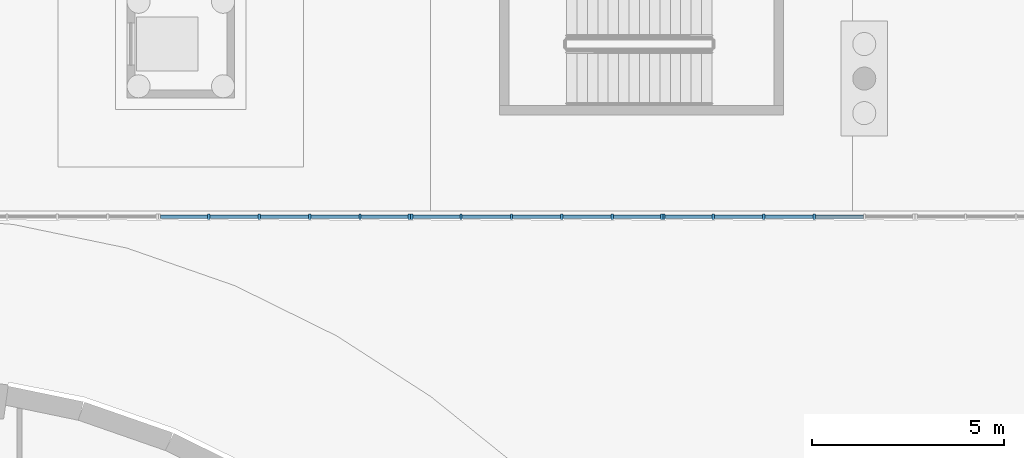
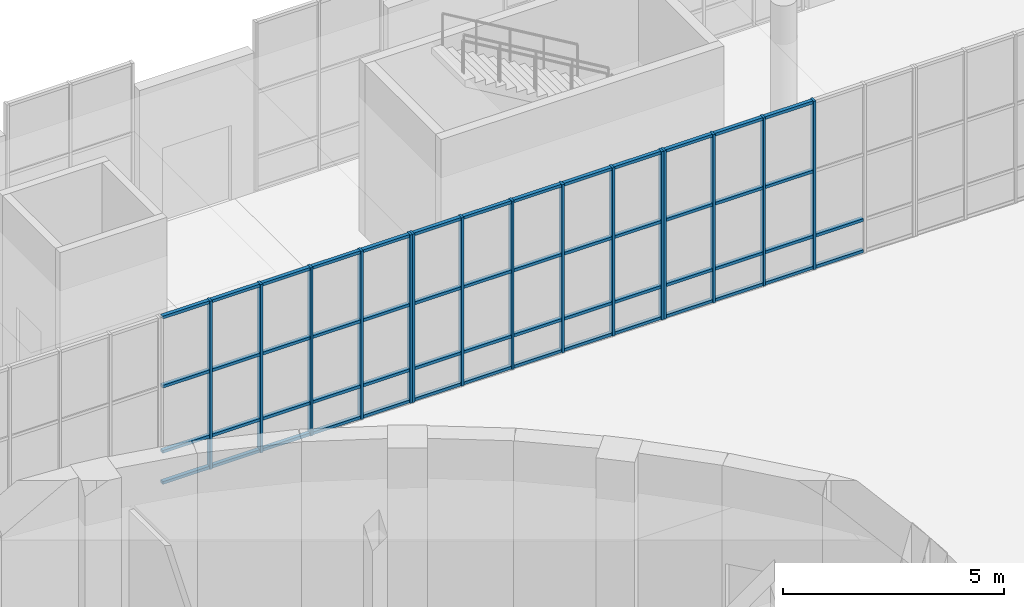
# One storey, part 33 of 110: 69 members, 3 elements without a shape of their own.
"""IFC4 building model written with IfcOpenShell, lengths in metres."""

import ifcopenshell
import ifcopenshell.guid

model = None  # the IFC model being written
_history = None  # IfcOwnerHistory: only IFC2X3 demands one
_inside = {}  # id of a spatial element -> (the spatial element, [elements in it])
_under = {}  # id of a project, library or spatial element -> (it, [spatial elements below it])
_declared = {}  # id of a project -> (the project, [libraries it declares])
_typed = {}  # id of a type object -> (the type object, [elements of that type])
_made_of = {}  # id of a material, layer set ... -> (it, [elements and type objects made of it])


def new_model(schema):
    """Start an empty IFC model of exactly this schema.

    Asked for "IFC4X3", IfcOpenShell would pick the latest addendum, in which some entities
    have other attributes; the version numbers below select the first issue.
    IFC2X3 requires an IfcOwnerHistory on every rooted entity: one is made here for all.
    """
    global model, _history
    if schema == "IFC4X3":
        model = ifcopenshell.file(schema_version=(4, 3, 0, 0))
    else:
        model = ifcopenshell.file(schema=schema)
    _inside.clear()
    _under.clear()
    _declared.clear()
    _typed.clear()
    _made_of.clear()
    _history = None
    if model.schema == "IFC2X3":
        org = make("IfcOrganization", Name="unknown")
        user = make(
            "IfcPersonAndOrganization",
            ThePerson=make("IfcPerson", FamilyName="unknown"),
            TheOrganization=org,
        )
        app = make(
            "IfcApplication",
            ApplicationDeveloper=org,
            Version="unknown",
            ApplicationFullName="unknown",
            ApplicationIdentifier="unknown",
        )
        _history = make(
            "IfcOwnerHistory",
            OwningUser=user,
            OwningApplication=app,
            ChangeAction="ADDED",
            CreationDate=0,
        )
    return model


def make(cls, **values):
    """One entity of the class cls with the attributes given. An attribute that is None is left unset."""
    return model.create_entity(
        cls, **{name: value for name, value in values.items() if value is not None}
    )


def rooted(cls, **values):
    """An entity with a GlobalId (a new one), such as an element, a storey or a relation."""
    return make(cls, GlobalId=ifcopenshell.guid.new(), OwnerHistory=_history, **values)


def si_unit(unit_type, name, prefix=None):
    """IfcSIUnit, for example si_unit("LENGTHUNIT", "METRE", prefix="MILLI")."""
    return make("IfcSIUnit", UnitType=unit_type, Prefix=prefix, Name=name)


def assignment(units):
    """IfcUnitAssignment: the units of a project."""
    return None if units is None else make("IfcUnitAssignment", Units=units)


def point(xyz):
    """IfcCartesianPoint."""
    return None if xyz is None else make("IfcCartesianPoint", Coordinates=xyz)


def direction(xyz):
    """IfcDirection."""
    return None if xyz is None else make("IfcDirection", DirectionRatios=xyz)


def frame(location, z_axis=None, x_axis=None):
    """IfcAxis2Placement3D, a coordinate frame: its origin and axes. An axis left out is left unset."""
    return make(
        "IfcAxis2Placement3D",
        Location=point(location),
        Axis=direction(z_axis),
        RefDirection=direction(x_axis),
    )


def frame_2d(location, x_axis=None):
    """IfcAxis2Placement2D, a coordinate frame in the plane: its origin and x axis."""
    return make(
        "IfcAxis2Placement2D", Location=point(location), RefDirection=direction(x_axis)
    )


def origin():
    """The frame at (0, 0, 0) with its axes left unset."""
    return frame((0.0, 0.0, 0.0))


def origin_2d():
    """The frame at (0, 0) in the plane with its x axis left unset."""
    return frame_2d((0.0, 0.0))


def place(relative_to, where):
    """IfcLocalPlacement: puts the frame where relative to a parent placement (None: the world)."""
    return make(
        "IfcLocalPlacement", PlacementRelTo=relative_to, RelativePlacement=where
    )


def context(
    kind, dimensions, precision=None, world=None, true_north=None, identifier=None
):
    """IfcGeometricRepresentationContext, for example the 3D "Model" context."""
    return make(
        "IfcGeometricRepresentationContext",
        ContextIdentifier=identifier,
        ContextType=kind,
        CoordinateSpaceDimension=dimensions,
        Precision=precision,
        WorldCoordinateSystem=world,
        TrueNorth=true_north,
    )


def subcontext(parent, identifier, kind, view, scale=None):
    """IfcGeometricRepresentationSubContext, for example "Body" below "Model"."""
    return make(
        "IfcGeometricRepresentationSubContext",
        ContextIdentifier=identifier,
        ContextType=kind,
        ParentContext=parent,
        TargetScale=scale,
        TargetView=view,
    )


def project(units=None, contexts=None):
    """IfcProject with its units and contexts."""
    return rooted(
        "IfcProject",
        Name="project",
        RepresentationContexts=contexts,
        UnitsInContext=assignment(units),
    )


def spatial(cls, under=None, at=None, **own):
    """A site, building, storey or space (cls), placed at a placement, below another one or the project."""
    s = rooted(cls, ObjectPlacement=at, **own)
    if under is not None:
        _under.setdefault(under.id(), (under, []))[1].append(s)
    return s


def profile(cls, at=None, kind="AREA", **sizes):
    """A parametric profile (cls). Its sizes go by their IFC names, for example OverallWidth=200.0."""
    return make(cls, ProfileType=kind, Position=at, **sizes)


def rectangle(**sizes):
    """IfcRectangleProfileDef."""
    return profile("IfcRectangleProfileDef", **sizes)


def extrude(swept, where, along, depth):
    """IfcExtrudedAreaSolid: the profile swept, set in the frame where, extruded along a direction by depth."""
    return make(
        "IfcExtrudedAreaSolid",
        SweptArea=swept,
        Position=where,
        ExtrudedDirection=direction(along),
        Depth=depth,
    )


def shape(context_of_items, identifier, shape_type, items):
    """IfcShapeRepresentation: the items that make up one representation, for example the "Body"."""
    return make(
        "IfcShapeRepresentation",
        ContextOfItems=context_of_items,
        RepresentationIdentifier=identifier,
        RepresentationType=shape_type,
        Items=items,
    )


def material(Name=None, Category=None):
    """IfcMaterial."""
    return make("IfcMaterial", Name=Name, Category=Category)


def layer(
    of_material, thickness, ventilated=None, Name=None, Category=None, Priority=None
):
    """IfcMaterialLayer: one layer of a wall or slab, of a material (None: an air gap)."""
    return make(
        "IfcMaterialLayer",
        Material=of_material,
        LayerThickness=thickness,
        IsVentilated=ventilated,
        Name=Name,
        Category=Category,
        Priority=Priority,
    )


def layer_set(layers, Name=None):
    """IfcMaterialLayerSet."""
    return make("IfcMaterialLayerSet", MaterialLayers=layers, LayerSetName=Name)


def material_profile(
    of_material, cross_section, Name=None, Category=None, Priority=None
):
    """IfcMaterialProfile: a cross section and its material."""
    return make(
        "IfcMaterialProfile",
        Name=Name,
        Material=of_material,
        Profile=cross_section,
        Priority=Priority,
        Category=Category,
    )


def profile_set(profiles, Name=None, composite=None):
    """IfcMaterialProfileSet."""
    return make(
        "IfcMaterialProfileSet",
        Name=Name,
        MaterialProfiles=profiles,
        CompositeProfile=composite,
    )


def made_of(thing, what):
    """Note that an element or type object is made of a material, layer set ...; save() writes the relation."""
    if what is not None:
        _made_of.setdefault(what.id(), (what, []))[1].append(thing)
    return thing


def type_object(cls, material=None, **own):
    """A type object (cls), such as IfcWallType, which elements share."""
    return made_of(rooted(cls, **own), material)


def element(
    cls,
    number,
    at=None,
    inside=None,
    cuts=None,
    type_object=None,
    material=None,
    context=None,
    identifier="Body",
    shape_type=None,
    held_by="IfcProductDefinitionShape",
    body=None,
    shapes=None,
    **own,
):
    """One element of the class cls, such as IfcWall. Its Tag is "e" and its number.

    at: its placement. inside: the storey or other place that contains it. cuts: it is an
    opening in that element (IfcRelVoidsElement). A single representation is given by context,
    identifier, shape_type and body (its items); several are given by shapes. held_by: the class
    of the entity that holds the representations. save() writes the other relations.
    """
    e = rooted(cls, Tag="e%d" % number, ObjectPlacement=at, **own)
    if body is not None:
        shapes = [shape(context, identifier, shape_type, body)]
    if shapes is not None:
        e.Representation = make(held_by, Representations=shapes)
    if inside is not None:
        _inside.setdefault(inside.id(), (inside, []))[1].append(e)
    if cuts is not None:
        rooted(
            "IfcRelVoidsElement", RelatingBuildingElement=cuts, RelatedOpeningElement=e
        )
    if type_object is not None:
        _typed.setdefault(type_object.id(), (type_object, []))[1].append(e)
    return made_of(e, material)


def aggregate(whole, parts):
    """IfcRelAggregates: a whole, such as a stair, and the parts it consists of."""
    return rooted("IfcRelAggregates", RelatingObject=whole, RelatedObjects=parts)


def save(model, path):
    """Write the relations noted so far, then the file.

    IfcRelAggregates (storeys below a building ...), IfcRelContainedInSpatialStructure (elements
    in a storey), IfcRelDefinesByType, IfcRelAssociatesMaterial and IfcRelDeclares: one each for
    every whole, place, type object, material and project.
    """
    for whole, parts in _under.values():
        aggregate(whole, parts)
    for where, things in _inside.values():
        rooted(
            "IfcRelContainedInSpatialStructure",
            RelatedElements=things,
            RelatingStructure=where,
        )
    for kind, things in _typed.values():
        rooted("IfcRelDefinesByType", RelatedObjects=things, RelatingType=kind)
    for what, things in _made_of.values():
        rooted("IfcRelAssociatesMaterial", RelatedObjects=things, RelatingMaterial=what)
    for by, libraries in _declared.values():
        rooted("IfcRelDeclares", RelatingContext=by, RelatedDefinitions=libraries)
    model.write(path)


model = new_model("IFC4")

# Units and contexts
model_context = context("Model", 3, precision=1e-05, world=origin(), true_north=direction((0.0, 1.0)))
body_context = subcontext(model_context, "Body", "Model", "MODEL_VIEW")
ifc_project = project(units=[si_unit("LENGTHUNIT", "METRE"), si_unit("AREAUNIT", "SQUARE_METRE"), si_unit("VOLUMEUNIT", "CUBIC_METRE"), si_unit("PLANEANGLEUNIT", "RADIAN"), si_unit("MASSUNIT", "GRAM", prefix="KILO")], contexts=[model_context])

# Site, building, storey
site_placement = place(None, origin())
site = spatial("IfcSite", under=ifc_project, at=site_placement, CompositionType="ELEMENT")
building_placement = place(site_placement, origin())
building = spatial("IfcBuilding", under=site, at=building_placement, Name="Larchfold Concert Hall", CompositionType="ELEMENT")
storey_placement = place(building_placement, origin())
storey = spatial("IfcBuildingStorey", under=building, at=storey_placement, Name="L00", CompositionType="ELEMENT", Elevation=0.0)

# Curtain wall, members
ifc_material_1 = material(Name="Anodised graphite aluminium curtain wall", Category="aluminium")
ifc_layer = layer(ifc_material_1, 0.14990234375)
ifc_layer_set = layer_set([ifc_layer], Name="Anodised graphite aluminium curtain wall")
curtain_wall_type = type_object("IfcCurtainWallType", Name="Curtain wall WG", PredefinedType="NOTDEFINED", material=ifc_layer_set)
curtain_wall_1_placement = place(storey_placement, origin())
curtain_wall_1 = element("IfcCurtainWall", 1, at=curtain_wall_1_placement, inside=storey, type_object=curtain_wall_type, Name="Curtain wall CW0091", PredefinedType="NOTDEFINED")
ifc_material_2 = material(Name="Anodised graphite aluminium mullion", Category="aluminium")
ifc_material_profile_1 = material_profile(ifc_material_2, rectangle(XDim=0.14990234375, YDim=0.06005859375, at=origin_2d()))
ifc_profile_set_1 = profile_set([ifc_material_profile_1], Name="Anodised graphite aluminium mullion")
member_type_1 = type_object("IfcMemberType", Name="Aluminium mullion 60x150", PredefinedType="MULLION", material=ifc_profile_set_1)
member_1_placement = place(storey_placement, frame((50.725830078125, 123.0, 0.0), z_axis=(0.0, 0.0, 1.0), x_axis=(0.0, 1.0, 0.0)))
member_1 = element("IfcMember", 2, at=member_1_placement, type_object=member_type_1, Name="CW0091 mullion 2", PredefinedType="MULLION", context=body_context, shape_type="SweptSolid", body=[
    extrude(rectangle(XDim=0.14990234375, YDim=0.06005859375, at=origin_2d()), origin(), (0.0, 0.0, 1.0), 4.64990234375),
])
member_2_placement = place(storey_placement, frame((52.039794921875, 123.0, 0.0), z_axis=(0.0, 0.0, 1.0), x_axis=(0.0, 1.0, 0.0)))
member_2 = element("IfcMember", 3, at=member_2_placement, type_object=member_type_1, Name="CW0091 mullion 3", PredefinedType="MULLION", context=body_context, shape_type="SweptSolid", body=[
    extrude(rectangle(XDim=0.14990234375, YDim=0.06005859375, at=origin_2d()), origin(), (0.0, 0.0, 1.0), 4.64990234375),
])
member_3_placement = place(storey_placement, frame((53.35400390625, 123.0, 0.0), z_axis=(0.0, 0.0, 1.0), x_axis=(0.0, 1.0, 0.0)))
member_3 = element("IfcMember", 4, at=member_3_placement, type_object=member_type_1, Name="CW0091 mullion 4", PredefinedType="MULLION", context=body_context, shape_type="SweptSolid", body=[
    extrude(rectangle(XDim=0.14990234375, YDim=0.06005859375, at=origin_2d()), origin(), (0.0, 0.0, 1.0), 4.64990234375),
])
member_4_placement = place(storey_placement, frame((54.66796875, 123.0, 0.0), z_axis=(0.0, 0.0, 1.0), x_axis=(0.0, 1.0, 0.0)))
member_4 = element("IfcMember", 5, at=member_4_placement, type_object=member_type_1, Name="CW0091 mullion 5", PredefinedType="MULLION", context=body_context, shape_type="SweptSolid", body=[
    extrude(rectangle(XDim=0.14990234375, YDim=0.06005859375, at=origin_2d()), origin(), (0.0, 0.0, 1.0), 4.64990234375),
])
member_5_placement = place(storey_placement, frame((55.951904296875, 123.0, 0.0), z_axis=(0.0, 0.0, 1.0), x_axis=(0.0, 1.0, 0.0)))
member_5 = element("IfcMember", 6, at=member_5_placement, type_object=member_type_1, Name="CW0091 mullion 6", PredefinedType="MULLION", context=body_context, shape_type="SweptSolid", body=[
    extrude(rectangle(XDim=0.14990234375, YDim=0.06005859375, at=origin_2d()), origin(), (0.0, 0.0, 1.0), 4.64990234375),
])

curtain_wall_2_placement = place(storey_placement, origin())
curtain_wall_2 = element("IfcCurtainWall", 7, at=curtain_wall_2_placement, inside=storey, type_object=curtain_wall_type, Name="Curtain wall CW0092", PredefinedType="NOTDEFINED")
member_6_placement = place(storey_placement, frame((56.011962890625, 123.0, 0.0), z_axis=(0.0, 0.0, 1.0), x_axis=(0.0, 1.0, 0.0)))
member_6 = element("IfcMember", 8, at=member_6_placement, type_object=member_type_1, Name="CW0092 mullion 1", PredefinedType="MULLION", context=body_context, shape_type="SweptSolid", body=[
    extrude(rectangle(XDim=0.14990234375, YDim=0.06005859375, at=origin_2d()), origin(), (0.0, 0.0, 1.0), 4.64990234375),
])
member_7_placement = place(storey_placement, frame((57.2958984375, 123.0, 0.0), z_axis=(0.0, 0.0, 1.0), x_axis=(0.0, 1.0, 0.0)))
member_7 = element("IfcMember", 9, at=member_7_placement, type_object=member_type_1, Name="CW0092 mullion 2", PredefinedType="MULLION", context=body_context, shape_type="SweptSolid", body=[
    extrude(rectangle(XDim=0.14990234375, YDim=0.06005859375, at=origin_2d()), origin(), (0.0, 0.0, 1.0), 4.64990234375),
])
member_8_placement = place(storey_placement, frame((58.610107421875, 123.0, 0.0), z_axis=(0.0, 0.0, 1.0), x_axis=(0.0, 1.0, 0.0)))
member_8 = element("IfcMember", 10, at=member_8_placement, type_object=member_type_1, Name="CW0092 mullion 3", PredefinedType="MULLION", context=body_context, shape_type="SweptSolid", body=[
    extrude(rectangle(XDim=0.14990234375, YDim=0.06005859375, at=origin_2d()), origin(), (0.0, 0.0, 1.0), 4.64990234375),
])
member_9_placement = place(storey_placement, frame((59.924072265625, 123.0, 0.0), z_axis=(0.0, 0.0, 1.0), x_axis=(0.0, 1.0, 0.0)))
member_9 = element("IfcMember", 11, at=member_9_placement, type_object=member_type_1, Name="CW0092 mullion 4", PredefinedType="MULLION", context=body_context, shape_type="SweptSolid", body=[
    extrude(rectangle(XDim=0.14990234375, YDim=0.06005859375, at=origin_2d()), origin(), (0.0, 0.0, 1.0), 4.64990234375),
])
member_10_placement = place(storey_placement, frame((61.23828125, 123.0, 0.0), z_axis=(0.0, 0.0, 1.0), x_axis=(0.0, 1.0, 0.0)))
member_10 = element("IfcMember", 12, at=member_10_placement, type_object=member_type_1, Name="CW0092 mullion 5", PredefinedType="MULLION", context=body_context, shape_type="SweptSolid", body=[
    extrude(rectangle(XDim=0.14990234375, YDim=0.06005859375, at=origin_2d()), origin(), (0.0, 0.0, 1.0), 4.64990234375),
])
member_11_placement = place(storey_placement, frame((62.522216796875, 123.0, 0.0), z_axis=(0.0, 0.0, 1.0), x_axis=(0.0, 1.0, 0.0)))
member_11 = element("IfcMember", 13, at=member_11_placement, type_object=member_type_1, Name="CW0092 mullion 6", PredefinedType="MULLION", context=body_context, shape_type="SweptSolid", body=[
    extrude(rectangle(XDim=0.14990234375, YDim=0.06005859375, at=origin_2d()), origin(), (0.0, 0.0, 1.0), 4.64990234375),
])

curtain_wall_3_placement = place(storey_placement, origin())
curtain_wall_3 = element("IfcCurtainWall", 14, at=curtain_wall_3_placement, inside=storey, type_object=curtain_wall_type, Name="Curtain wall CW0093", PredefinedType="NOTDEFINED")
member_12_placement = place(storey_placement, frame((62.582275390625, 123.0, 0.0), z_axis=(0.0, 0.0, 1.0), x_axis=(0.0, 1.0, 0.0)))
member_12 = element("IfcMember", 15, at=member_12_placement, type_object=member_type_1, Name="CW0093 mullion 1", PredefinedType="MULLION", context=body_context, shape_type="SweptSolid", body=[
    extrude(rectangle(XDim=0.14990234375, YDim=0.06005859375, at=origin_2d()), origin(), (0.0, 0.0, 1.0), 4.64990234375),
])
member_13_placement = place(storey_placement, frame((63.8662109375, 123.0, 0.0), z_axis=(0.0, 0.0, 1.0), x_axis=(0.0, 1.0, 0.0)))
member_13 = element("IfcMember", 16, at=member_13_placement, type_object=member_type_1, Name="CW0093 mullion 2", PredefinedType="MULLION", context=body_context, shape_type="SweptSolid", body=[
    extrude(rectangle(XDim=0.14990234375, YDim=0.06005859375, at=origin_2d()), origin(), (0.0, 0.0, 1.0), 4.64990234375),
])
member_14_placement = place(storey_placement, frame((65.18017578125, 123.0, 0.0), z_axis=(0.0, 0.0, 1.0), x_axis=(0.0, 1.0, 0.0)))
member_14 = element("IfcMember", 17, at=member_14_placement, type_object=member_type_1, Name="CW0093 mullion 3", PredefinedType="MULLION", context=body_context, shape_type="SweptSolid", body=[
    extrude(rectangle(XDim=0.14990234375, YDim=0.06005859375, at=origin_2d()), origin(), (0.0, 0.0, 1.0), 4.64990234375),
])
member_15_placement = place(storey_placement, frame((66.494384765625, 123.0, 0.0), z_axis=(0.0, 0.0, 1.0), x_axis=(0.0, 1.0, 0.0)))
member_15 = element("IfcMember", 18, at=member_15_placement, type_object=member_type_1, Name="CW0093 mullion 4", PredefinedType="MULLION", context=body_context, shape_type="SweptSolid", body=[
    extrude(rectangle(XDim=0.14990234375, YDim=0.06005859375, at=origin_2d()), origin(), (0.0, 0.0, 1.0), 4.64990234375),
])

# Member
ifc_material_3 = material(Name="Anodised graphite aluminium transom", Category="aluminium")
ifc_material_profile_2 = material_profile(ifc_material_3, rectangle(XDim=0.10009765625, YDim=0.080078125, at=origin_2d()))
ifc_profile_set_2 = profile_set([ifc_material_profile_2], Name="Anodised graphite aluminium transom")
member_type_2 = type_object("IfcMemberType", Name="Aluminium transom 80x100", PredefinedType="USERDEFINED", material=ifc_profile_set_2)
member_16_placement = place(storey_placement, frame((49.471923828125, 123.0, 0.0400390625), z_axis=(1.0, 0.0, 0.0), x_axis=(0.0, 1.0, 0.0)))
member_16 = element("IfcMember", 19, at=member_16_placement, type_object=member_type_2, Name="CW0091 transom 1.1", ObjectType="TRANSOM", PredefinedType="USERDEFINED", context=body_context, shape_type="SweptSolid", body=[
    extrude(rectangle(XDim=0.10009765625, YDim=0.080078125, at=origin_2d()), origin(), (0.0, 0.0, 1.0), 1.223876953125),
])

member_17_placement = place(storey_placement, frame((49.471923828125, 123.0, 0.89990234375), z_axis=(1.0, 0.0, 0.0), x_axis=(0.0, 1.0, 0.0)))
member_17 = element("IfcMember", 20, at=member_17_placement, type_object=member_type_2, Name="CW0091 transom 1.2", ObjectType="TRANSOM", PredefinedType="USERDEFINED", context=body_context, shape_type="SweptSolid", body=[
    extrude(rectangle(XDim=0.10009765625, YDim=0.080078125, at=origin_2d()), origin(), (0.0, 0.0, 1.0), 1.223876953125),
])

member_18_placement = place(storey_placement, frame((49.471923828125, 123.0, 2.699951171875), z_axis=(1.0, 0.0, 0.0), x_axis=(0.0, 1.0, 0.0)))
member_18 = element("IfcMember", 21, at=member_18_placement, type_object=member_type_2, Name="CW0091 transom 1.3", ObjectType="TRANSOM", PredefinedType="USERDEFINED", context=body_context, shape_type="SweptSolid", body=[
    extrude(rectangle(XDim=0.10009765625, YDim=0.080078125, at=origin_2d()), origin(), (0.0, 0.0, 1.0), 1.223876953125),
])

member_19_placement = place(storey_placement, frame((49.471923828125, 123.0, 4.60986328125), z_axis=(1.0, 0.0, 0.0), x_axis=(0.0, 1.0, 0.0)))
member_19 = element("IfcMember", 22, at=member_19_placement, type_object=member_type_2, Name="CW0091 transom 1.4", ObjectType="TRANSOM", PredefinedType="USERDEFINED", context=body_context, shape_type="SweptSolid", body=[
    extrude(rectangle(XDim=0.10009765625, YDim=0.080078125, at=origin_2d()), origin(), (0.0, 0.0, 1.0), 1.223876953125),
])

member_20_placement = place(storey_placement, frame((50.755859375, 123.0, 0.0400390625), z_axis=(1.0, 0.0, 0.0), x_axis=(0.0, 1.0, 0.0)))
member_20 = element("IfcMember", 23, at=member_20_placement, type_object=member_type_2, Name="CW0091 transom 2.1", ObjectType="TRANSOM", PredefinedType="USERDEFINED", context=body_context, shape_type="SweptSolid", body=[
    extrude(rectangle(XDim=0.10009765625, YDim=0.080078125, at=origin_2d()), origin(), (0.0, 0.0, 1.0), 1.254150390625),
])

member_21_placement = place(storey_placement, frame((50.755859375, 123.0, 0.89990234375), z_axis=(1.0, 0.0, 0.0), x_axis=(0.0, 1.0, 0.0)))
member_21 = element("IfcMember", 24, at=member_21_placement, type_object=member_type_2, Name="CW0091 transom 2.2", ObjectType="TRANSOM", PredefinedType="USERDEFINED", context=body_context, shape_type="SweptSolid", body=[
    extrude(rectangle(XDim=0.10009765625, YDim=0.080078125, at=origin_2d()), origin(), (0.0, 0.0, 1.0), 1.254150390625),
])

member_22_placement = place(storey_placement, frame((50.755859375, 123.0, 2.699951171875), z_axis=(1.0, 0.0, 0.0), x_axis=(0.0, 1.0, 0.0)))
member_22 = element("IfcMember", 25, at=member_22_placement, type_object=member_type_2, Name="CW0091 transom 2.3", ObjectType="TRANSOM", PredefinedType="USERDEFINED", context=body_context, shape_type="SweptSolid", body=[
    extrude(rectangle(XDim=0.10009765625, YDim=0.080078125, at=origin_2d()), origin(), (0.0, 0.0, 1.0), 1.254150390625),
])

member_23_placement = place(storey_placement, frame((50.755859375, 123.0, 4.60986328125), z_axis=(1.0, 0.0, 0.0), x_axis=(0.0, 1.0, 0.0)))
member_23 = element("IfcMember", 26, at=member_23_placement, type_object=member_type_2, Name="CW0091 transom 2.4", ObjectType="TRANSOM", PredefinedType="USERDEFINED", context=body_context, shape_type="SweptSolid", body=[
    extrude(rectangle(XDim=0.10009765625, YDim=0.080078125, at=origin_2d()), origin(), (0.0, 0.0, 1.0), 1.254150390625),
])

member_24_placement = place(storey_placement, frame((52.06982421875, 123.0, 0.0400390625), z_axis=(1.0, 0.0, 0.0), x_axis=(0.0, 1.0, 0.0)))
member_24 = element("IfcMember", 27, at=member_24_placement, type_object=member_type_2, Name="CW0091 transom 3.1", ObjectType="TRANSOM", PredefinedType="USERDEFINED", context=body_context, shape_type="SweptSolid", body=[
    extrude(rectangle(XDim=0.10009765625, YDim=0.080078125, at=origin_2d()), origin(), (0.0, 0.0, 1.0), 1.254150390625),
])

member_25_placement = place(storey_placement, frame((52.06982421875, 123.0, 0.89990234375), z_axis=(1.0, 0.0, 0.0), x_axis=(0.0, 1.0, 0.0)))
member_25 = element("IfcMember", 28, at=member_25_placement, type_object=member_type_2, Name="CW0091 transom 3.2", ObjectType="TRANSOM", PredefinedType="USERDEFINED", context=body_context, shape_type="SweptSolid", body=[
    extrude(rectangle(XDim=0.10009765625, YDim=0.080078125, at=origin_2d()), origin(), (0.0, 0.0, 1.0), 1.254150390625),
])

member_26_placement = place(storey_placement, frame((52.06982421875, 123.0, 2.699951171875), z_axis=(1.0, 0.0, 0.0), x_axis=(0.0, 1.0, 0.0)))
member_26 = element("IfcMember", 29, at=member_26_placement, type_object=member_type_2, Name="CW0091 transom 3.3", ObjectType="TRANSOM", PredefinedType="USERDEFINED", context=body_context, shape_type="SweptSolid", body=[
    extrude(rectangle(XDim=0.10009765625, YDim=0.080078125, at=origin_2d()), origin(), (0.0, 0.0, 1.0), 1.254150390625),
])

member_27_placement = place(storey_placement, frame((52.06982421875, 123.0, 4.60986328125), z_axis=(1.0, 0.0, 0.0), x_axis=(0.0, 1.0, 0.0)))
member_27 = element("IfcMember", 30, at=member_27_placement, type_object=member_type_2, Name="CW0091 transom 3.4", ObjectType="TRANSOM", PredefinedType="USERDEFINED", context=body_context, shape_type="SweptSolid", body=[
    extrude(rectangle(XDim=0.10009765625, YDim=0.080078125, at=origin_2d()), origin(), (0.0, 0.0, 1.0), 1.254150390625),
])

member_28_placement = place(storey_placement, frame((53.3837890625, 123.0, 0.0400390625), z_axis=(1.0, 0.0, 0.0), x_axis=(0.0, 1.0, 0.0)))
member_28 = element("IfcMember", 31, at=member_28_placement, type_object=member_type_2, Name="CW0091 transom 4.1", ObjectType="TRANSOM", PredefinedType="USERDEFINED", context=body_context, shape_type="SweptSolid", body=[
    extrude(rectangle(XDim=0.10009765625, YDim=0.080078125, at=origin_2d()), origin(), (0.0, 0.0, 1.0), 1.254150390625),
])

member_29_placement = place(storey_placement, frame((53.3837890625, 123.0, 0.89990234375), z_axis=(1.0, 0.0, 0.0), x_axis=(0.0, 1.0, 0.0)))
member_29 = element("IfcMember", 32, at=member_29_placement, type_object=member_type_2, Name="CW0091 transom 4.2", ObjectType="TRANSOM", PredefinedType="USERDEFINED", context=body_context, shape_type="SweptSolid", body=[
    extrude(rectangle(XDim=0.10009765625, YDim=0.080078125, at=origin_2d()), origin(), (0.0, 0.0, 1.0), 1.254150390625),
])

member_30_placement = place(storey_placement, frame((53.3837890625, 123.0, 2.699951171875), z_axis=(1.0, 0.0, 0.0), x_axis=(0.0, 1.0, 0.0)))
member_30 = element("IfcMember", 33, at=member_30_placement, type_object=member_type_2, Name="CW0091 transom 4.3", ObjectType="TRANSOM", PredefinedType="USERDEFINED", context=body_context, shape_type="SweptSolid", body=[
    extrude(rectangle(XDim=0.10009765625, YDim=0.080078125, at=origin_2d()), origin(), (0.0, 0.0, 1.0), 1.254150390625),
])

member_31_placement = place(storey_placement, frame((53.3837890625, 123.0, 4.60986328125), z_axis=(1.0, 0.0, 0.0), x_axis=(0.0, 1.0, 0.0)))
member_31 = element("IfcMember", 34, at=member_31_placement, type_object=member_type_2, Name="CW0091 transom 4.4", ObjectType="TRANSOM", PredefinedType="USERDEFINED", context=body_context, shape_type="SweptSolid", body=[
    extrude(rectangle(XDim=0.10009765625, YDim=0.080078125, at=origin_2d()), origin(), (0.0, 0.0, 1.0), 1.254150390625),
])

member_32_placement = place(storey_placement, frame((54.697998046875, 123.0, 0.0400390625), z_axis=(1.0, 0.0, 0.0), x_axis=(0.0, 1.0, 0.0)))
member_32 = element("IfcMember", 35, at=member_32_placement, type_object=member_type_2, Name="CW0091 transom 5.1", ObjectType="TRANSOM", PredefinedType="USERDEFINED", context=body_context, shape_type="SweptSolid", body=[
    extrude(rectangle(XDim=0.10009765625, YDim=0.080078125, at=origin_2d()), origin(), (0.0, 0.0, 1.0), 1.223876953125),
])

member_33_placement = place(storey_placement, frame((54.697998046875, 123.0, 0.89990234375), z_axis=(1.0, 0.0, 0.0), x_axis=(0.0, 1.0, 0.0)))
member_33 = element("IfcMember", 36, at=member_33_placement, type_object=member_type_2, Name="CW0091 transom 5.2", ObjectType="TRANSOM", PredefinedType="USERDEFINED", context=body_context, shape_type="SweptSolid", body=[
    extrude(rectangle(XDim=0.10009765625, YDim=0.080078125, at=origin_2d()), origin(), (0.0, 0.0, 1.0), 1.223876953125),
])

member_34_placement = place(storey_placement, frame((54.697998046875, 123.0, 2.699951171875), z_axis=(1.0, 0.0, 0.0), x_axis=(0.0, 1.0, 0.0)))
member_34 = element("IfcMember", 37, at=member_34_placement, type_object=member_type_2, Name="CW0091 transom 5.3", ObjectType="TRANSOM", PredefinedType="USERDEFINED", context=body_context, shape_type="SweptSolid", body=[
    extrude(rectangle(XDim=0.10009765625, YDim=0.080078125, at=origin_2d()), origin(), (0.0, 0.0, 1.0), 1.223876953125),
])

member_35_placement = place(storey_placement, frame((54.697998046875, 123.0, 4.60986328125), z_axis=(1.0, 0.0, 0.0), x_axis=(0.0, 1.0, 0.0)))
member_35 = element("IfcMember", 38, at=member_35_placement, type_object=member_type_2, Name="CW0091 transom 5.4", ObjectType="TRANSOM", PredefinedType="USERDEFINED", context=body_context, shape_type="SweptSolid", body=[
    extrude(rectangle(XDim=0.10009765625, YDim=0.080078125, at=origin_2d()), origin(), (0.0, 0.0, 1.0), 1.223876953125),
])

aggregate(curtain_wall_1, [member_1, member_2, member_3, member_4, member_5, member_16, member_17, member_18, member_19, member_20, member_21, member_22, member_23, member_24, member_25, member_26, member_27, member_28, member_29, member_30, member_31, member_32, member_33, member_34, member_35])

member_36_placement = place(storey_placement, frame((56.0419921875, 123.0, 0.0400390625), z_axis=(1.0, 0.0, 0.0), x_axis=(0.0, 1.0, 0.0)))
member_36 = element("IfcMember", 39, at=member_36_placement, type_object=member_type_2, Name="CW0092 transom 1.1", ObjectType="TRANSOM", PredefinedType="USERDEFINED", context=body_context, shape_type="SweptSolid", body=[
    extrude(rectangle(XDim=0.10009765625, YDim=0.080078125, at=origin_2d()), origin(), (0.0, 0.0, 1.0), 1.22412109375),
])

member_37_placement = place(storey_placement, frame((56.0419921875, 123.0, 0.89990234375), z_axis=(1.0, 0.0, 0.0), x_axis=(0.0, 1.0, 0.0)))
member_37 = element("IfcMember", 40, at=member_37_placement, type_object=member_type_2, Name="CW0092 transom 1.2", ObjectType="TRANSOM", PredefinedType="USERDEFINED", context=body_context, shape_type="SweptSolid", body=[
    extrude(rectangle(XDim=0.10009765625, YDim=0.080078125, at=origin_2d()), origin(), (0.0, 0.0, 1.0), 1.22412109375),
])

member_38_placement = place(storey_placement, frame((56.0419921875, 123.0, 2.699951171875), z_axis=(1.0, 0.0, 0.0), x_axis=(0.0, 1.0, 0.0)))
member_38 = element("IfcMember", 41, at=member_38_placement, type_object=member_type_2, Name="CW0092 transom 1.3", ObjectType="TRANSOM", PredefinedType="USERDEFINED", context=body_context, shape_type="SweptSolid", body=[
    extrude(rectangle(XDim=0.10009765625, YDim=0.080078125, at=origin_2d()), origin(), (0.0, 0.0, 1.0), 1.22412109375),
])

member_39_placement = place(storey_placement, frame((56.0419921875, 123.0, 4.60986328125), z_axis=(1.0, 0.0, 0.0), x_axis=(0.0, 1.0, 0.0)))
member_39 = element("IfcMember", 42, at=member_39_placement, type_object=member_type_2, Name="CW0092 transom 1.4", ObjectType="TRANSOM", PredefinedType="USERDEFINED", context=body_context, shape_type="SweptSolid", body=[
    extrude(rectangle(XDim=0.10009765625, YDim=0.080078125, at=origin_2d()), origin(), (0.0, 0.0, 1.0), 1.22412109375),
])

member_40_placement = place(storey_placement, frame((57.325927734375, 123.0, 0.0400390625), z_axis=(1.0, 0.0, 0.0), x_axis=(0.0, 1.0, 0.0)))
member_40 = element("IfcMember", 43, at=member_40_placement, type_object=member_type_2, Name="CW0092 transom 2.1", ObjectType="TRANSOM", PredefinedType="USERDEFINED", context=body_context, shape_type="SweptSolid", body=[
    extrude(rectangle(XDim=0.10009765625, YDim=0.080078125, at=origin_2d()), origin(), (0.0, 0.0, 1.0), 1.254150390625),
])

member_41_placement = place(storey_placement, frame((57.325927734375, 123.0, 0.89990234375), z_axis=(1.0, 0.0, 0.0), x_axis=(0.0, 1.0, 0.0)))
member_41 = element("IfcMember", 44, at=member_41_placement, type_object=member_type_2, Name="CW0092 transom 2.2", ObjectType="TRANSOM", PredefinedType="USERDEFINED", context=body_context, shape_type="SweptSolid", body=[
    extrude(rectangle(XDim=0.10009765625, YDim=0.080078125, at=origin_2d()), origin(), (0.0, 0.0, 1.0), 1.254150390625),
])

member_42_placement = place(storey_placement, frame((57.325927734375, 123.0, 2.699951171875), z_axis=(1.0, 0.0, 0.0), x_axis=(0.0, 1.0, 0.0)))
member_42 = element("IfcMember", 45, at=member_42_placement, type_object=member_type_2, Name="CW0092 transom 2.3", ObjectType="TRANSOM", PredefinedType="USERDEFINED", context=body_context, shape_type="SweptSolid", body=[
    extrude(rectangle(XDim=0.10009765625, YDim=0.080078125, at=origin_2d()), origin(), (0.0, 0.0, 1.0), 1.254150390625),
])

member_43_placement = place(storey_placement, frame((57.325927734375, 123.0, 4.60986328125), z_axis=(1.0, 0.0, 0.0), x_axis=(0.0, 1.0, 0.0)))
member_43 = element("IfcMember", 46, at=member_43_placement, type_object=member_type_2, Name="CW0092 transom 2.4", ObjectType="TRANSOM", PredefinedType="USERDEFINED", context=body_context, shape_type="SweptSolid", body=[
    extrude(rectangle(XDim=0.10009765625, YDim=0.080078125, at=origin_2d()), origin(), (0.0, 0.0, 1.0), 1.254150390625),
])

member_44_placement = place(storey_placement, frame((58.64013671875, 123.0, 0.0400390625), z_axis=(1.0, 0.0, 0.0), x_axis=(0.0, 1.0, 0.0)))
member_44 = element("IfcMember", 47, at=member_44_placement, type_object=member_type_2, Name="CW0092 transom 3.1", ObjectType="TRANSOM", PredefinedType="USERDEFINED", context=body_context, shape_type="SweptSolid", body=[
    extrude(rectangle(XDim=0.10009765625, YDim=0.080078125, at=origin_2d()), origin(), (0.0, 0.0, 1.0), 1.25390625),
])

member_45_placement = place(storey_placement, frame((58.64013671875, 123.0, 0.89990234375), z_axis=(1.0, 0.0, 0.0), x_axis=(0.0, 1.0, 0.0)))
member_45 = element("IfcMember", 48, at=member_45_placement, type_object=member_type_2, Name="CW0092 transom 3.2", ObjectType="TRANSOM", PredefinedType="USERDEFINED", context=body_context, shape_type="SweptSolid", body=[
    extrude(rectangle(XDim=0.10009765625, YDim=0.080078125, at=origin_2d()), origin(), (0.0, 0.0, 1.0), 1.25390625),
])

member_46_placement = place(storey_placement, frame((58.64013671875, 123.0, 2.699951171875), z_axis=(1.0, 0.0, 0.0), x_axis=(0.0, 1.0, 0.0)))
member_46 = element("IfcMember", 49, at=member_46_placement, type_object=member_type_2, Name="CW0092 transom 3.3", ObjectType="TRANSOM", PredefinedType="USERDEFINED", context=body_context, shape_type="SweptSolid", body=[
    extrude(rectangle(XDim=0.10009765625, YDim=0.080078125, at=origin_2d()), origin(), (0.0, 0.0, 1.0), 1.25390625),
])

member_47_placement = place(storey_placement, frame((58.64013671875, 123.0, 4.60986328125), z_axis=(1.0, 0.0, 0.0), x_axis=(0.0, 1.0, 0.0)))
member_47 = element("IfcMember", 50, at=member_47_placement, type_object=member_type_2, Name="CW0092 transom 3.4", ObjectType="TRANSOM", PredefinedType="USERDEFINED", context=body_context, shape_type="SweptSolid", body=[
    extrude(rectangle(XDim=0.10009765625, YDim=0.080078125, at=origin_2d()), origin(), (0.0, 0.0, 1.0), 1.25390625),
])

member_48_placement = place(storey_placement, frame((59.9541015625, 123.0, 0.0400390625), z_axis=(1.0, 0.0, 0.0), x_axis=(0.0, 1.0, 0.0)))
member_48 = element("IfcMember", 51, at=member_48_placement, type_object=member_type_2, Name="CW0092 transom 4.1", ObjectType="TRANSOM", PredefinedType="USERDEFINED", context=body_context, shape_type="SweptSolid", body=[
    extrude(rectangle(XDim=0.10009765625, YDim=0.080078125, at=origin_2d()), origin(), (0.0, 0.0, 1.0), 1.254150390625),
])

member_49_placement = place(storey_placement, frame((59.9541015625, 123.0, 0.89990234375), z_axis=(1.0, 0.0, 0.0), x_axis=(0.0, 1.0, 0.0)))
member_49 = element("IfcMember", 52, at=member_49_placement, type_object=member_type_2, Name="CW0092 transom 4.2", ObjectType="TRANSOM", PredefinedType="USERDEFINED", context=body_context, shape_type="SweptSolid", body=[
    extrude(rectangle(XDim=0.10009765625, YDim=0.080078125, at=origin_2d()), origin(), (0.0, 0.0, 1.0), 1.254150390625),
])

member_50_placement = place(storey_placement, frame((59.9541015625, 123.0, 2.699951171875), z_axis=(1.0, 0.0, 0.0), x_axis=(0.0, 1.0, 0.0)))
member_50 = element("IfcMember", 53, at=member_50_placement, type_object=member_type_2, Name="CW0092 transom 4.3", ObjectType="TRANSOM", PredefinedType="USERDEFINED", context=body_context, shape_type="SweptSolid", body=[
    extrude(rectangle(XDim=0.10009765625, YDim=0.080078125, at=origin_2d()), origin(), (0.0, 0.0, 1.0), 1.254150390625),
])

member_51_placement = place(storey_placement, frame((59.9541015625, 123.0, 4.60986328125), z_axis=(1.0, 0.0, 0.0), x_axis=(0.0, 1.0, 0.0)))
member_51 = element("IfcMember", 54, at=member_51_placement, type_object=member_type_2, Name="CW0092 transom 4.4", ObjectType="TRANSOM", PredefinedType="USERDEFINED", context=body_context, shape_type="SweptSolid", body=[
    extrude(rectangle(XDim=0.10009765625, YDim=0.080078125, at=origin_2d()), origin(), (0.0, 0.0, 1.0), 1.254150390625),
])

member_52_placement = place(storey_placement, frame((61.26806640625, 123.0, 0.0400390625), z_axis=(1.0, 0.0, 0.0), x_axis=(0.0, 1.0, 0.0)))
member_52 = element("IfcMember", 55, at=member_52_placement, type_object=member_type_2, Name="CW0092 transom 5.1", ObjectType="TRANSOM", PredefinedType="USERDEFINED", context=body_context, shape_type="SweptSolid", body=[
    extrude(rectangle(XDim=0.10009765625, YDim=0.080078125, at=origin_2d()), origin(), (0.0, 0.0, 1.0), 1.22412109375),
])

member_53_placement = place(storey_placement, frame((61.26806640625, 123.0, 0.89990234375), z_axis=(1.0, 0.0, 0.0), x_axis=(0.0, 1.0, 0.0)))
member_53 = element("IfcMember", 56, at=member_53_placement, type_object=member_type_2, Name="CW0092 transom 5.2", ObjectType="TRANSOM", PredefinedType="USERDEFINED", context=body_context, shape_type="SweptSolid", body=[
    extrude(rectangle(XDim=0.10009765625, YDim=0.080078125, at=origin_2d()), origin(), (0.0, 0.0, 1.0), 1.22412109375),
])

member_54_placement = place(storey_placement, frame((61.26806640625, 123.0, 2.699951171875), z_axis=(1.0, 0.0, 0.0), x_axis=(0.0, 1.0, 0.0)))
member_54 = element("IfcMember", 57, at=member_54_placement, type_object=member_type_2, Name="CW0092 transom 5.3", ObjectType="TRANSOM", PredefinedType="USERDEFINED", context=body_context, shape_type="SweptSolid", body=[
    extrude(rectangle(XDim=0.10009765625, YDim=0.080078125, at=origin_2d()), origin(), (0.0, 0.0, 1.0), 1.22412109375),
])

member_55_placement = place(storey_placement, frame((61.26806640625, 123.0, 4.60986328125), z_axis=(1.0, 0.0, 0.0), x_axis=(0.0, 1.0, 0.0)))
member_55 = element("IfcMember", 58, at=member_55_placement, type_object=member_type_2, Name="CW0092 transom 5.4", ObjectType="TRANSOM", PredefinedType="USERDEFINED", context=body_context, shape_type="SweptSolid", body=[
    extrude(rectangle(XDim=0.10009765625, YDim=0.080078125, at=origin_2d()), origin(), (0.0, 0.0, 1.0), 1.22412109375),
])

aggregate(curtain_wall_2, [member_6, member_7, member_8, member_9, member_10, member_11, member_36, member_37, member_38, member_39, member_40, member_41, member_42, member_43, member_44, member_45, member_46, member_47, member_48, member_49, member_50, member_51, member_52, member_53, member_54, member_55])

member_56_placement = place(storey_placement, frame((62.6123046875, 123.0, 0.0400390625), z_axis=(1.0, 0.0, 0.0), x_axis=(0.0, 1.0, 0.0)))
member_56 = element("IfcMember", 59, at=member_56_placement, type_object=member_type_2, Name="CW0093 transom 1.1", ObjectType="TRANSOM", PredefinedType="USERDEFINED", context=body_context, shape_type="SweptSolid", body=[
    extrude(rectangle(XDim=0.10009765625, YDim=0.080078125, at=origin_2d()), origin(), (0.0, 0.0, 1.0), 1.223876953125),
])

member_57_placement = place(storey_placement, frame((62.6123046875, 123.0, 0.89990234375), z_axis=(1.0, 0.0, 0.0), x_axis=(0.0, 1.0, 0.0)))
member_57 = element("IfcMember", 60, at=member_57_placement, type_object=member_type_2, Name="CW0093 transom 1.2", ObjectType="TRANSOM", PredefinedType="USERDEFINED", context=body_context, shape_type="SweptSolid", body=[
    extrude(rectangle(XDim=0.10009765625, YDim=0.080078125, at=origin_2d()), origin(), (0.0, 0.0, 1.0), 1.223876953125),
])

member_58_placement = place(storey_placement, frame((62.6123046875, 123.0, 2.699951171875), z_axis=(1.0, 0.0, 0.0), x_axis=(0.0, 1.0, 0.0)))
member_58 = element("IfcMember", 61, at=member_58_placement, type_object=member_type_2, Name="CW0093 transom 1.3", ObjectType="TRANSOM", PredefinedType="USERDEFINED", context=body_context, shape_type="SweptSolid", body=[
    extrude(rectangle(XDim=0.10009765625, YDim=0.080078125, at=origin_2d()), origin(), (0.0, 0.0, 1.0), 1.223876953125),
])

member_59_placement = place(storey_placement, frame((62.6123046875, 123.0, 4.60986328125), z_axis=(1.0, 0.0, 0.0), x_axis=(0.0, 1.0, 0.0)))
member_59 = element("IfcMember", 62, at=member_59_placement, type_object=member_type_2, Name="CW0093 transom 1.4", ObjectType="TRANSOM", PredefinedType="USERDEFINED", context=body_context, shape_type="SweptSolid", body=[
    extrude(rectangle(XDim=0.10009765625, YDim=0.080078125, at=origin_2d()), origin(), (0.0, 0.0, 1.0), 1.223876953125),
])

member_60_placement = place(storey_placement, frame((63.896240234375, 123.0, 0.0400390625), z_axis=(1.0, 0.0, 0.0), x_axis=(0.0, 1.0, 0.0)))
member_60 = element("IfcMember", 63, at=member_60_placement, type_object=member_type_2, Name="CW0093 transom 2.1", ObjectType="TRANSOM", PredefinedType="USERDEFINED", context=body_context, shape_type="SweptSolid", body=[
    extrude(rectangle(XDim=0.10009765625, YDim=0.080078125, at=origin_2d()), origin(), (0.0, 0.0, 1.0), 1.254150390625),
])

member_61_placement = place(storey_placement, frame((63.896240234375, 123.0, 0.89990234375), z_axis=(1.0, 0.0, 0.0), x_axis=(0.0, 1.0, 0.0)))
member_61 = element("IfcMember", 64, at=member_61_placement, type_object=member_type_2, Name="CW0093 transom 2.2", ObjectType="TRANSOM", PredefinedType="USERDEFINED", context=body_context, shape_type="SweptSolid", body=[
    extrude(rectangle(XDim=0.10009765625, YDim=0.080078125, at=origin_2d()), origin(), (0.0, 0.0, 1.0), 1.254150390625),
])

member_62_placement = place(storey_placement, frame((63.896240234375, 123.0, 2.699951171875), z_axis=(1.0, 0.0, 0.0), x_axis=(0.0, 1.0, 0.0)))
member_62 = element("IfcMember", 65, at=member_62_placement, type_object=member_type_2, Name="CW0093 transom 2.3", ObjectType="TRANSOM", PredefinedType="USERDEFINED", context=body_context, shape_type="SweptSolid", body=[
    extrude(rectangle(XDim=0.10009765625, YDim=0.080078125, at=origin_2d()), origin(), (0.0, 0.0, 1.0), 1.254150390625),
])

member_63_placement = place(storey_placement, frame((63.896240234375, 123.0, 4.60986328125), z_axis=(1.0, 0.0, 0.0), x_axis=(0.0, 1.0, 0.0)))
member_63 = element("IfcMember", 66, at=member_63_placement, type_object=member_type_2, Name="CW0093 transom 2.4", ObjectType="TRANSOM", PredefinedType="USERDEFINED", context=body_context, shape_type="SweptSolid", body=[
    extrude(rectangle(XDim=0.10009765625, YDim=0.080078125, at=origin_2d()), origin(), (0.0, 0.0, 1.0), 1.254150390625),
])

member_64_placement = place(storey_placement, frame((65.210205078125, 123.0, 0.0400390625), z_axis=(1.0, 0.0, 0.0), x_axis=(0.0, 1.0, 0.0)))
member_64 = element("IfcMember", 67, at=member_64_placement, type_object=member_type_2, Name="CW0093 transom 3.1", ObjectType="TRANSOM", PredefinedType="USERDEFINED", context=body_context, shape_type="SweptSolid", body=[
    extrude(rectangle(XDim=0.10009765625, YDim=0.080078125, at=origin_2d()), origin(), (0.0, 0.0, 1.0), 1.254150390625),
])

member_65_placement = place(storey_placement, frame((65.210205078125, 123.0, 0.89990234375), z_axis=(1.0, 0.0, 0.0), x_axis=(0.0, 1.0, 0.0)))
member_65 = element("IfcMember", 68, at=member_65_placement, type_object=member_type_2, Name="CW0093 transom 3.2", ObjectType="TRANSOM", PredefinedType="USERDEFINED", context=body_context, shape_type="SweptSolid", body=[
    extrude(rectangle(XDim=0.10009765625, YDim=0.080078125, at=origin_2d()), origin(), (0.0, 0.0, 1.0), 1.254150390625),
])

member_66_placement = place(storey_placement, frame((65.210205078125, 123.0, 2.699951171875), z_axis=(1.0, 0.0, 0.0), x_axis=(0.0, 1.0, 0.0)))
member_66 = element("IfcMember", 69, at=member_66_placement, type_object=member_type_2, Name="CW0093 transom 3.3", ObjectType="TRANSOM", PredefinedType="USERDEFINED", context=body_context, shape_type="SweptSolid", body=[
    extrude(rectangle(XDim=0.10009765625, YDim=0.080078125, at=origin_2d()), origin(), (0.0, 0.0, 1.0), 1.254150390625),
])

member_67_placement = place(storey_placement, frame((65.210205078125, 123.0, 4.60986328125), z_axis=(1.0, 0.0, 0.0), x_axis=(0.0, 1.0, 0.0)))
member_67 = element("IfcMember", 70, at=member_67_placement, type_object=member_type_2, Name="CW0093 transom 3.4", ObjectType="TRANSOM", PredefinedType="USERDEFINED", context=body_context, shape_type="SweptSolid", body=[
    extrude(rectangle(XDim=0.10009765625, YDim=0.080078125, at=origin_2d()), origin(), (0.0, 0.0, 1.0), 1.254150390625),
])

member_68_placement = place(storey_placement, frame((66.524169921875, 123.0, 0.0400390625), z_axis=(1.0, 0.0, 0.0), x_axis=(0.0, 1.0, 0.0)))
member_68 = element("IfcMember", 71, at=member_68_placement, type_object=member_type_2, Name="CW0093 transom 4.1", ObjectType="TRANSOM", PredefinedType="USERDEFINED", context=body_context, shape_type="SweptSolid", body=[
    extrude(rectangle(XDim=0.10009765625, YDim=0.080078125, at=origin_2d()), origin(), (0.0, 0.0, 1.0), 1.254150390625),
])

member_69_placement = place(storey_placement, frame((66.524169921875, 123.0, 0.89990234375), z_axis=(1.0, 0.0, 0.0), x_axis=(0.0, 1.0, 0.0)))
member_69 = element("IfcMember", 72, at=member_69_placement, type_object=member_type_2, Name="CW0093 transom 4.2", ObjectType="TRANSOM", PredefinedType="USERDEFINED", context=body_context, shape_type="SweptSolid", body=[
    extrude(rectangle(XDim=0.10009765625, YDim=0.080078125, at=origin_2d()), origin(), (0.0, 0.0, 1.0), 1.254150390625),
])

aggregate(curtain_wall_3, [member_12, member_13, member_14, member_15, member_56, member_57, member_58, member_59, member_60, member_61, member_62, member_63, member_64, member_65, member_66, member_67, member_68, member_69])

save(model, "model.ifc")
